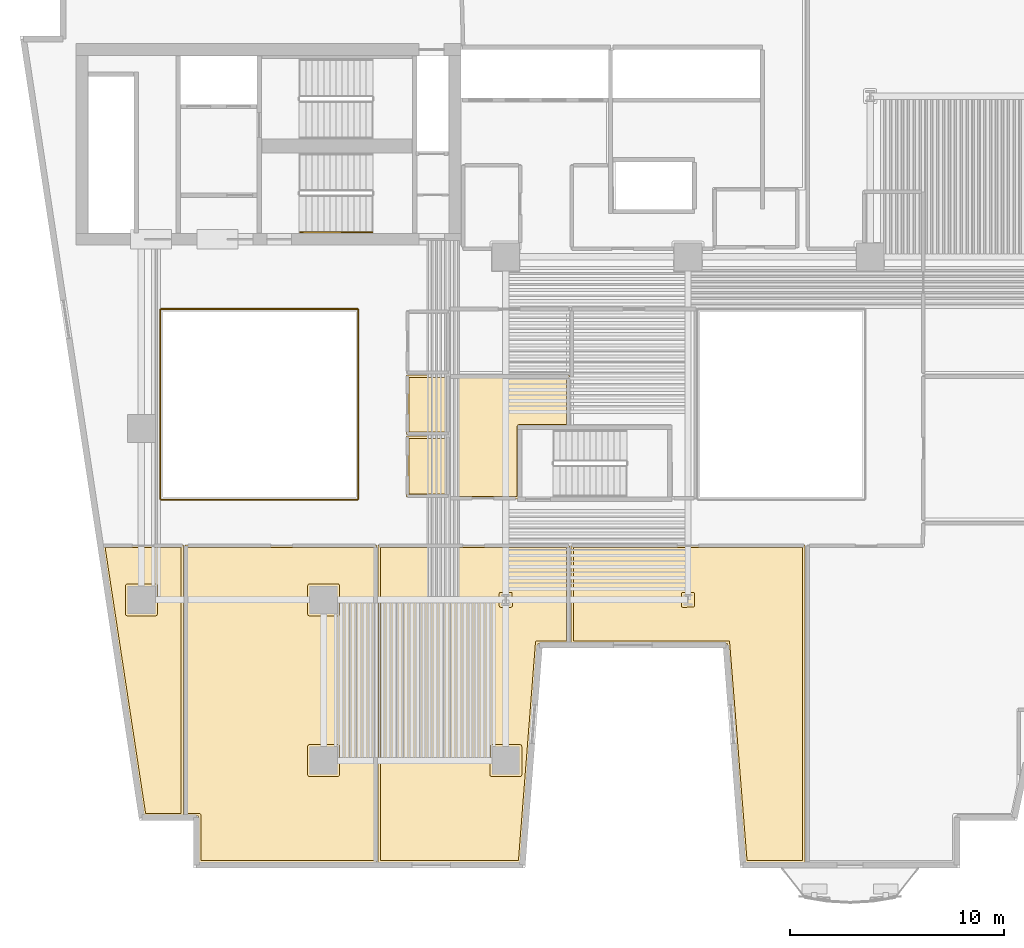
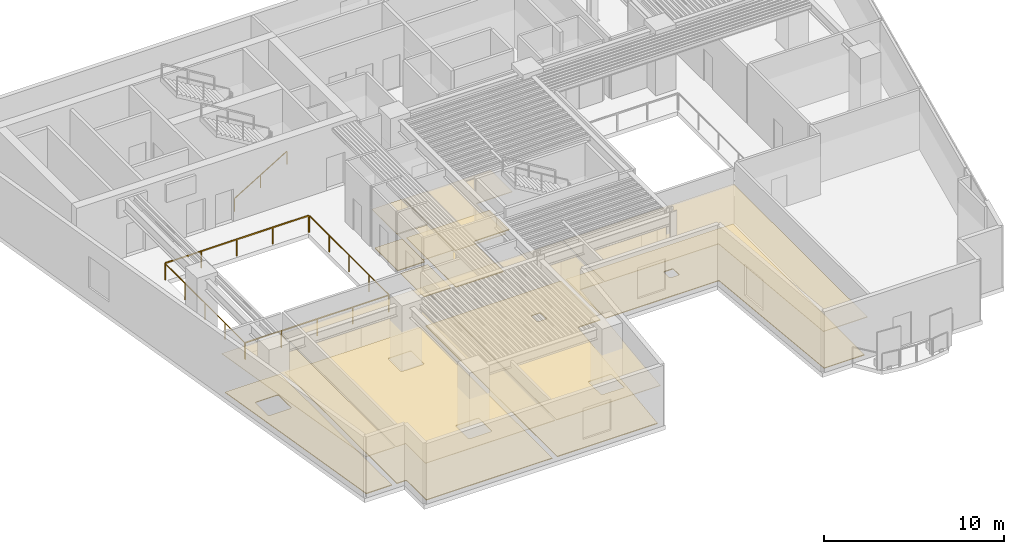
# One storey, part 8 of 12: 14 coverings, 5 railings.
"""IFC4 building model written with IfcOpenShell, lengths in metres."""

from ifc_helpers import new_model, si_unit, direction, frame, origin, origin_2d, place, context, subcontext, project, spatial, polyline, rectangle, outline, extrude, material, layer, layer_set, type_object, element, save


model = new_model("IFC4")

# Units and contexts
model_context = context("Model", 3, precision=1e-05, world=origin(), true_north=direction((0.0, 1.0)))
body_context = subcontext(model_context, "Body", "Model", "MODEL_VIEW")
ifc_project = project(units=[si_unit("LENGTHUNIT", "METRE"), si_unit("AREAUNIT", "SQUARE_METRE"), si_unit("VOLUMEUNIT", "CUBIC_METRE"), si_unit("PLANEANGLEUNIT", "RADIAN"), si_unit("MASSUNIT", "GRAM", prefix="KILO")], contexts=[model_context])

# Site, building, storey
site_placement = place(None, origin())
site = spatial("IfcSite", under=ifc_project, at=site_placement, CompositionType="ELEMENT")
building_placement = place(site_placement, origin())
building = spatial("IfcBuilding", under=site, at=building_placement, Name="Caeloran Harvest Quay", CompositionType="ELEMENT")
storey_placement = place(building_placement, frame((0.0, 0.0, 88.60009765625)))
storey = spatial("IfcBuildingStorey", under=building, at=storey_placement, Name="L20", CompositionType="ELEMENT", Elevation=88.60009765625)

# Coverings
ifc_material_1 = material(Name="Perforated Mineral-Fibre Acoustic Ceiling Tile", Category="ceiling")
ifc_layer_1 = layer(ifc_material_1, 0.0400390625, Name="Perforated Mineral-Fibre Acoustic Ceiling Tile")
ifc_layer_set_1 = layer_set([ifc_layer_1], Name="Perforated Mineral-Fibre Acoustic Ceiling Tile")
covering_type_1 = type_object("IfcCoveringType", Name="COV-CEILING-ACOUSTIC", PredefinedType="CEILING", material=ifc_layer_set_1)
covering_1_placement = place(storey_placement, frame((0.0, 0.0, 2.599853515625)))
element("IfcCovering", 1, at=covering_1_placement, inside=storey, type_object=covering_type_1, Name="L20 Female Washroom WC Acoustic Ceiling", PredefinedType="CEILING", context=body_context, shape_type="SweptSolid", body=[
    extrude(outline(polyline([(22.840087890625, 22.7099609375), (20.8701171875, 22.7099609375), (20.8701171875, 25.489990234375), (22.840087890625, 25.489990234375), (22.840087890625, 22.7099609375)])), origin(), (0.0, 0.0, 1.0), 0.0400390625),
])
covering_2_placement = place(storey_placement, frame((0.0, 0.0, 2.599853515625)))
element("IfcCovering", 2, at=covering_2_placement, inside=storey, type_object=covering_type_1, Name="L20 Accessible Unisex Washroom WC Acoustic Ceiling", PredefinedType="CEILING", context=body_context, shape_type="SweptSolid", body=[
    extrude(outline(polyline([(22.840087890625, 19.81005859375), (20.8701171875, 19.81005859375), (20.8701171875, 22.639892578125), (22.840087890625, 22.639892578125), (22.840087890625, 19.81005859375)])), origin(), (0.0, 0.0, 1.0), 0.0400390625),
])
covering_3_placement = place(storey_placement, frame((0.0, 0.0, 2.599853515625)))
element("IfcCovering", 3, at=covering_3_placement, inside=storey, type_object=covering_type_1, Name="Culinary Harvest Tasting Kitchen Acoustic Ceiling", PredefinedType="CEILING", context=body_context, shape_type="SweptSolid", body=[
    extrude(outline(polyline([(11.156982421875, 4.919921875), (10.5400390625, 4.919921875), (10.5400390625, 17.56005859375), (19.4599609375, 17.56005859375), (19.4599609375, 2.719970703125), (11.156982421875, 2.719970703125), (11.156982421875, 4.919921875)])), origin(), (0.0, 0.0, 1.0), 0.0400390625),
])
covering_4_placement = place(storey_placement, frame((0.0, 0.0, 2.599853515625)))
element("IfcCovering", 4, at=covering_4_placement, inside=storey, type_object=covering_type_1, Name="Botanical Workshop Studio Acoustic Ceiling", PredefinedType="CEILING", context=body_context, shape_type="SweptSolid", body=[
    extrude(outline(polyline([(26.199462890625, 2.719970703125), (19.5400390625, 2.719970703125), (19.5400390625, 17.56005859375), (28.4599609375, 17.56005859375), (28.4599609375, 12.969970703125), (26.99951171875, 12.969970703125), (26.199462890625, 2.719970703125)])), origin(), (0.0, 0.0, 1.0), 0.0400390625),
])
covering_5_placement = place(storey_placement, frame((0.0, 0.0, 2.599853515625)))
element("IfcCovering", 5, at=covering_5_placement, inside=storey, type_object=covering_type_1, Name="Gastronomy Seminar Room Acoustic Ceiling", PredefinedType="CEILING", context=body_context, shape_type="SweptSolid", body=[
    extrude(outline(polyline([(10.4599609375, 4.919921875), (8.59130859375, 4.919921875), (6.668701171875, 17.56005859375), (10.4599609375, 17.56005859375), (10.4599609375, 4.919921875)])), origin(), (0.0, 0.0, 1.0), 0.0400390625),
])
covering_6_placement = place(storey_placement, frame((0.0, 0.0, 2.599853515625)))
element("IfcCovering", 6, at=covering_6_placement, inside=storey, type_object=covering_type_1, Name="Seed Library Reading Lounge Acoustic Ceiling", PredefinedType="CEILING", context=body_context, shape_type="SweptSolid", body=[
    extrude(outline(polyline([(28.5400390625, 17.56005859375), (39.4599609375, 17.56005859375), (39.4599609375, 2.719970703125), (36.64404296875, 2.719970703125), (35.843994140625, 12.969970703125), (28.5400390625, 12.969970703125), (28.5400390625, 17.56005859375)])), origin(), (0.0, 0.0, 1.0), 0.0400390625),
])
covering_7_placement = place(storey_placement, frame((0.0, 0.0, 2.599853515625)))
element("IfcCovering", 7, at=covering_7_placement, inside=storey, type_object=covering_type_1, Name="Tasting Salon Lounge Acoustic Ceiling", PredefinedType="CEILING", context=body_context, shape_type="SweptSolid", body=[
    extrude(outline(polyline([(26.139892578125, 23.06005859375), (26.139892578125, 19.7099609375), (22.8701171875, 19.7099609375), (22.8701171875, 25.4599609375), (28.4599609375, 25.4599609375), (28.4599609375, 23.06005859375), (26.139892578125, 23.06005859375)])), origin(), (0.0, 0.0, 1.0), 0.0400390625),
])
ifc_material_2 = material(Name="Calcium-Sulphate Raised Access Floor and Terrazzo Finish", Category="flooring")
ifc_layer_2 = layer(ifc_material_2, 0.050048828125, Name="Calcium-Sulphate Raised Access Floor and Terrazzo Finish")
ifc_layer_set_2 = layer_set([ifc_layer_2], Name="Calcium-Sulphate Raised Access Floor and Terrazzo Finish")
covering_type_2 = type_object("IfcCoveringType", Name="COV-FLOOR-RAISED", PredefinedType="FLOORING", material=ifc_layer_set_2)
covering_8_placement = place(storey_placement, origin())
element("IfcCovering", 8, at=covering_8_placement, inside=storey, type_object=covering_type_2, Name="L20 Female Washroom WC Raised Finish Flooring", PredefinedType="FLOORING", context=body_context, shape_type="SweptSolid", body=[
    extrude(outline(polyline([(22.719970703125, 22.830078125), (20.989990234375, 22.830078125), (20.989990234375, 25.3701171875), (22.719970703125, 25.3701171875), (22.719970703125, 22.830078125)])), origin(), (0.0, 0.0, 1.0), 0.0498046875),
])
covering_9_placement = place(storey_placement, origin())
element("IfcCovering", 9, at=covering_9_placement, inside=storey, type_object=covering_type_2, Name="L20 Accessible Unisex Washroom WC Raised Finish Flooring", PredefinedType="FLOORING", context=body_context, shape_type="SweptSolid", body=[
    extrude(outline(polyline([(22.719970703125, 19.929931640625), (20.989990234375, 19.929931640625), (20.989990234375, 22.52001953125), (22.719970703125, 22.52001953125), (22.719970703125, 19.929931640625)])), origin(), (0.0, 0.0, 1.0), 0.0498046875),
])
covering_10_placement = place(storey_placement, origin())
element("IfcCovering", 10, at=covering_10_placement, inside=storey, type_object=covering_type_2, Name="Culinary Harvest Tasting Kitchen Raised Finish Flooring", PredefinedType="FLOORING", context=body_context, shape_type="SweptSolid", body=[
    extrude(outline(polyline([(19.340087890625, 2.840087890625), (11.277099609375, 2.840087890625), (11.273681640625, 4.983154296875), (11.204833984375, 5.03955078125), (10.659912109375, 5.0400390625), (10.659912109375, 17.43994140625), (19.340087890625, 17.43994140625), (19.340087890625, 2.840087890625)]), holes=[polyline([(16.3349609375, 8.2451171875), (16.2783203125, 8.2216796875), (16.2548828125, 8.1650390625), (16.2548828125, 6.8349609375), (16.2783203125, 6.7783203125), (16.3349609375, 6.7548828125), (17.6650390625, 6.7548828125), (17.7216796875, 6.7783203125), (17.7451171875, 6.8349609375), (17.7451171875, 8.1650390625), (17.7216796875, 8.2216796875), (17.6650390625, 8.2451171875), (16.3349609375, 8.2451171875)]), polyline([(17.7451171875, 15.6650390625), (17.7216796875, 15.7216796875), (17.6650390625, 15.7451171875), (16.3349609375, 15.7451171875), (16.2783203125, 15.7216796875), (16.2548828125, 15.6650390625), (16.2548828125, 14.3349609375), (16.2783203125, 14.2783203125), (16.3349609375, 14.2548828125), (17.6650390625, 14.2548828125), (17.7216796875, 14.2783203125), (17.7451171875, 14.3349609375), (17.7451171875, 15.6650390625)])]), origin(), (0.0, 0.0, 1.0), 0.0498046875),
])
covering_11_placement = place(storey_placement, origin())
element("IfcCovering", 11, at=covering_11_placement, inside=storey, type_object=covering_type_2, Name="Botanical Workshop Studio Raised Finish Flooring", PredefinedType="FLOORING", context=body_context, shape_type="SweptSolid", body=[
    extrude(outline(polyline([(26.96240234375, 13.090087890625), (26.9052734375, 13.06591796875), (26.8828125, 13.01611328125), (26.08837890625, 2.840087890625), (19.659912109375, 2.840087890625), (19.659912109375, 17.43994140625), (28.340087890625, 17.43994140625), (28.340087890625, 13.090087890625), (26.96240234375, 13.090087890625)]), holes=[polyline([(26.2451171875, 8.1650390625), (26.2216796875, 8.2216796875), (26.1650390625, 8.2451171875), (24.8349609375, 8.2451171875), (24.7783203125, 8.2216796875), (24.7548828125, 8.1650390625), (24.7548828125, 6.8349609375), (24.7783203125, 6.7783203125), (24.8349609375, 6.7548828125), (26.1650390625, 6.7548828125), (26.2216796875, 6.7783203125), (26.2451171875, 6.8349609375), (26.2451171875, 8.1650390625)]), polyline([(25.8134765625, 14.72802734375), (25.79541015625, 15.32275390625), (25.7412109375, 15.3515625), (25.2666015625, 15.35205078125), (25.2099609375, 15.32861328125), (25.1865234375, 15.27197265625), (25.1865234375, 14.72802734375), (25.2099609375, 14.67138671875), (25.2666015625, 14.64794921875), (25.7333984375, 14.64794921875), (25.7900390625, 14.67138671875), (25.8134765625, 14.72802734375)])]), origin(), (0.0, 0.0, 1.0), 0.0498046875),
])
covering_12_placement = place(storey_placement, origin())
element("IfcCovering", 12, at=covering_12_placement, inside=storey, type_object=covering_type_2, Name="Gastronomy Seminar Room Raised Finish Flooring", PredefinedType="FLOORING", context=body_context, shape_type="SweptSolid", body=[
    extrude(outline(polyline([(10.340087890625, 17.43994140625), (10.340087890625, 5.0400390625), (8.694580078125, 5.0400390625), (6.80810546875, 17.43994140625), (10.340087890625, 17.43994140625)]), holes=[polyline([(9.2451171875, 15.6650390625), (9.2216796875, 15.7216796875), (9.1650390625, 15.7451171875), (7.8349609375, 15.7451171875), (7.7783203125, 15.7216796875), (7.7548828125, 15.6650390625), (7.7548828125, 14.3349609375), (7.7783203125, 14.2783203125), (7.8349609375, 14.2548828125), (9.1650390625, 14.2548828125), (9.2216796875, 14.2783203125), (9.2451171875, 14.3349609375), (9.2451171875, 15.6650390625)])]), origin(), (0.0, 0.0, 1.0), 0.0498046875),
])
covering_13_placement = place(storey_placement, origin())
element("IfcCovering", 13, at=covering_13_placement, inside=storey, type_object=covering_type_2, Name="Seed Library Reading Lounge Raised Finish Flooring", PredefinedType="FLOORING", context=body_context, shape_type="SweptSolid", body=[
    extrude(outline(polyline([(28.659912109375, 13.090087890625), (28.659912109375, 17.43994140625), (39.340087890625, 17.43994140625), (39.340087890625, 2.840087890625), (36.7548828125, 2.840087890625), (35.938232421875, 13.06591796875), (35.881103515625, 13.090087890625), (28.659912109375, 13.090087890625)]), holes=[polyline([(33.7666015625, 15.35205078125), (33.7099609375, 15.32861328125), (33.68701171875, 15.27978515625), (33.70458984375, 14.67724609375), (33.7666015625, 14.64794921875), (34.2841796875, 14.666259765625), (34.3134765625, 14.72802734375), (34.29541015625, 15.32275390625), (34.2412109375, 15.3515625), (33.7666015625, 15.35205078125)])]), origin(), (0.0, 0.0, 1.0), 0.0498046875),
])
covering_14_placement = place(storey_placement, origin())
element("IfcCovering", 14, at=covering_14_placement, inside=storey, type_object=covering_type_2, Name="Tasting Salon Lounge Raised Finish Flooring", PredefinedType="FLOORING", context=body_context, shape_type="SweptSolid", body=[
    extrude(outline(polyline([(26.101806640625, 23.17626953125), (26.04248046875, 23.13671875), (26.02001953125, 23.070068359375), (26.02001953125, 19.830078125), (22.989990234375, 19.830078125), (22.989990234375, 25.340087890625), (28.340087890625, 25.340087890625), (28.340087890625, 23.179931640625), (26.101806640625, 23.17626953125)])), origin(), (0.0, 0.0, 1.0), 0.0498046875),
])

# Railings
ifc_material_3 = material(Name="Powder-Coated Steel Post and Laminated Glass Guardrail", Category="steel")
ifc_layer_3 = layer(ifc_material_3, 0.06005859375, Name="Powder-Coated Steel Post and Laminated Glass Guardrail")
ifc_layer_set_3 = layer_set([ifc_layer_3], Name="Powder-Coated Steel Post and Laminated Glass Guardrail")
railing_type_1 = type_object("IfcRailingType", Name="GUARD-ATRIUM-1150", PredefinedType="GUARDRAIL", material=ifc_layer_set_3)
railing_1_placement = place(storey_placement, frame((9.412109375, 19.679931640625, 0.0)))
element("IfcRailing", 15, at=railing_1_placement, inside=storey, type_object=railing_type_1, Name="L20 Skylit Atrium Void Perimeter Guardrail Seg 1", PredefinedType="GUARDRAIL", context=body_context, shape_type="SweptSolid", body=[
    extrude(rectangle(XDim=0.048095703125, YDim=0.048095703125, at=origin_2d()), frame((0.0, 0.0, 1.1259765625), z_axis=(1.0, 0.0, 0.0), x_axis=(0.0, 1.0, 0.0)), (0.0, 0.0, 1.0), 9.17578125),
    extrude(rectangle(XDim=0.0419921875, YDim=0.0419921875, at=origin_2d()), origin(), (0.0, 0.0, 1.0), 1.101806640625),
    extrude(rectangle(XDim=0.0419921875, YDim=0.0419921875, at=origin_2d()), frame((2.2939453125, 0.0, 0.0)), (0.0, 0.0, 1.0), 1.101806640625),
    extrude(rectangle(XDim=0.0419921875, YDim=0.0419921875, at=origin_2d()), frame((4.587890625, 0.0, 0.0)), (0.0, 0.0, 1.0), 1.101806640625),
    extrude(rectangle(XDim=0.0419921875, YDim=0.0419921875, at=origin_2d()), frame((6.8818359375, 0.0, 0.0)), (0.0, 0.0, 1.0), 1.101806640625),
    extrude(rectangle(XDim=0.0419921875, YDim=0.0419921875, at=origin_2d()), frame((9.17578125, 0.0, 0.0)), (0.0, 0.0, 1.0), 1.101806640625),
])
railing_2_placement = place(storey_placement, frame((18.6201171875, 19.7119140625, 0.0)))
element("IfcRailing", 16, at=railing_2_placement, inside=storey, type_object=railing_type_1, Name="L20 Skylit Atrium Void Perimeter Guardrail Seg 2", PredefinedType="GUARDRAIL", context=body_context, shape_type="SweptSolid", body=[
    extrude(rectangle(XDim=0.048095703125, YDim=0.048095703125, at=origin_2d()), frame((0.0, 0.0, 1.1259765625), z_axis=(0.0, 1.0, 0.0), x_axis=(-1.0, 0.0, 0.0)), (0.0, 0.0, 1.0), 8.826171875),
    extrude(rectangle(XDim=0.0419921875, YDim=0.0419921875, at=origin_2d()), origin(), (0.0, 0.0, 1.0), 1.101806640625),
    extrude(rectangle(XDim=0.0419921875, YDim=0.0419921875, at=origin_2d()), frame((0.0, 2.20654296875, 0.0)), (0.0, 0.0, 1.0), 1.101806640625),
    extrude(rectangle(XDim=0.0419921875, YDim=0.0419921875, at=origin_2d()), frame((0.0, 4.4130859375, 0.0)), (0.0, 0.0, 1.0), 1.101806640625),
    extrude(rectangle(XDim=0.0419921875, YDim=0.0419921875, at=origin_2d()), frame((0.0, 6.61962890625, 0.0)), (0.0, 0.0, 1.0), 1.101806640625),
    extrude(rectangle(XDim=0.0419921875, YDim=0.0419921875, at=origin_2d()), frame((0.0, 8.826171875, 0.0)), (0.0, 0.0, 1.0), 1.101806640625),
])
railing_3_placement = place(storey_placement, frame((18.587890625, 28.570068359375, 0.0)))
element("IfcRailing", 17, at=railing_3_placement, inside=storey, type_object=railing_type_1, Name="L20 Skylit Atrium Void Perimeter Guardrail Seg 3", PredefinedType="GUARDRAIL", context=body_context, shape_type="SweptSolid", body=[
    extrude(rectangle(XDim=0.048095703125, YDim=0.048095703125, at=origin_2d()), frame((0.0, 0.0, 1.1259765625), z_axis=(-1.0, 0.0, 0.0), x_axis=(0.0, -1.0, 0.0)), (0.0, 0.0, 1.0), 9.17578125),
    extrude(rectangle(XDim=0.0419921875, YDim=0.0419921875, at=origin_2d()), origin(), (0.0, 0.0, 1.0), 1.101806640625),
    extrude(rectangle(XDim=0.0419921875, YDim=0.0419921875, at=origin_2d()), frame((-2.2939453125, 0.0, 0.0)), (0.0, 0.0, 1.0), 1.101806640625),
    extrude(rectangle(XDim=0.0419921875, YDim=0.0419921875, at=origin_2d()), frame((-4.587890625, 0.0, 0.0)), (0.0, 0.0, 1.0), 1.101806640625),
    extrude(rectangle(XDim=0.0419921875, YDim=0.0419921875, at=origin_2d()), frame((-6.8818359375, 0.0, 0.0)), (0.0, 0.0, 1.0), 1.101806640625),
    extrude(rectangle(XDim=0.0419921875, YDim=0.0419921875, at=origin_2d()), frame((-9.17578125, 0.0, 0.0)), (0.0, 0.0, 1.0), 1.101806640625),
])
railing_4_placement = place(storey_placement, frame((9.3798828125, 28.5380859375, 0.0)))
element("IfcRailing", 18, at=railing_4_placement, inside=storey, type_object=railing_type_1, Name="L20 Skylit Atrium Void Perimeter Guardrail Seg 4", PredefinedType="GUARDRAIL", context=body_context, shape_type="SweptSolid", body=[
    extrude(rectangle(XDim=0.048095703125, YDim=0.048095703125, at=origin_2d()), frame((0.0, 0.0, 1.1259765625), z_axis=(0.0, -1.0, 0.0), x_axis=(1.0, 0.0, 0.0)), (0.0, 0.0, 1.0), 8.826171875),
    extrude(rectangle(XDim=0.0419921875, YDim=0.0419921875, at=origin_2d()), origin(), (0.0, 0.0, 1.0), 1.101806640625),
    extrude(rectangle(XDim=0.0419921875, YDim=0.0419921875, at=origin_2d()), frame((0.0, -2.20654296875, 0.0)), (0.0, 0.0, 1.0), 1.101806640625),
    extrude(rectangle(XDim=0.0419921875, YDim=0.0419921875, at=origin_2d()), frame((0.0, -4.4130859375, 0.0)), (0.0, 0.0, 1.0), 1.101806640625),
    extrude(rectangle(XDim=0.0419921875, YDim=0.0419921875, at=origin_2d()), frame((0.0, -6.61962890625, 0.0)), (0.0, 0.0, 1.0), 1.101806640625),
    extrude(rectangle(XDim=0.0419921875, YDim=0.0419921875, at=origin_2d()), frame((0.0, -8.826171875, 0.0)), (0.0, 0.0, 1.0), 1.101806640625),
])
ifc_material_4 = material(Name="Brushed Stainless Steel Grade 304", Category="steel")
ifc_layer_4 = layer(ifc_material_4, 0.050048828125, Name="Brushed Stainless Steel Grade 304")
ifc_layer_set_4 = layer_set([ifc_layer_4], Name="Brushed Stainless Steel Grade 304")
railing_type_2 = type_object("IfcRailingType", Name="STAIR-HANDRAIL-900", PredefinedType="HANDRAIL", material=ifc_layer_set_4)
railing_5_placement = place(storey_placement, frame((15.89990234375, 32.14990234375, 0.169189453125)))
element("IfcRailing", 19, at=railing_5_placement, inside=storey, type_object=railing_type_2, Name="L20 ST-C2 stair handrail 1", PredefinedType="HANDRAIL", context=body_context, shape_type="SweptSolid", body=[
    extrude(rectangle(XDim=0.048095703125, YDim=0.048095703125, at=origin_2d()), frame((0.0, 0.0, 0.8759765625), z_axis=(0.855836976705, 0.0, 0.517245656632), x_axis=(0.0, 1.0, 0.0)), (0.0, 0.0, 1.0), 3.926025390625),
    extrude(rectangle(XDim=0.0419921875, YDim=0.0419921875, at=origin_2d()), origin(), (0.0, 0.0, 1.0), 0.851806640625),
    extrude(rectangle(XDim=0.0419921875, YDim=0.0419921875, at=origin_2d()), frame((1.68017578125, 0.0, 1.015380859375)), (0.0, 0.0, 1.0), 0.851806640625),
    extrude(rectangle(XDim=0.0419921875, YDim=0.0419921875, at=origin_2d()), frame((3.360107421875, 0.0, 2.03076171875)), (0.0, 0.0, 1.0), 0.851806640625),
])

save(model, "model.ifc")
